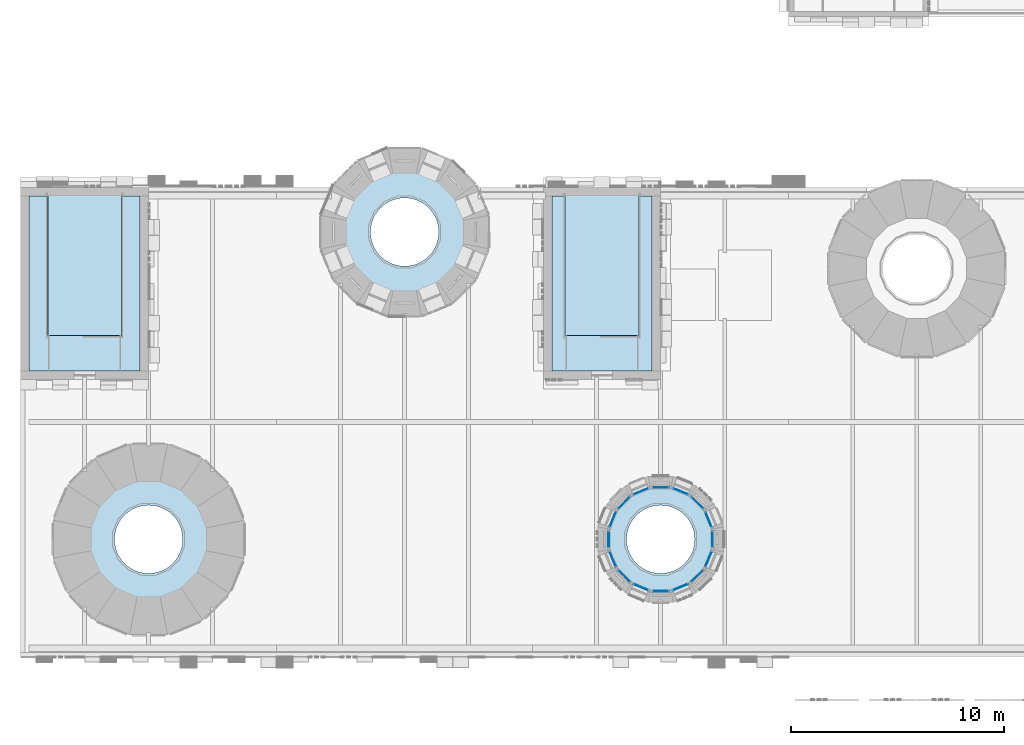
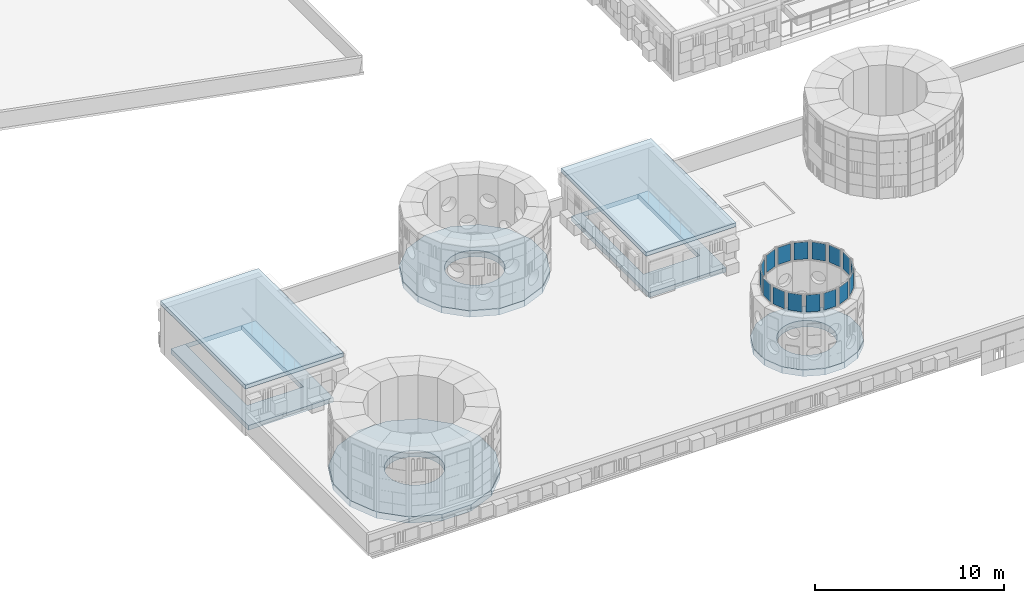
# One storey, part 43 of 98: 16 plates, 7 slabs, 16 elements without a shape of their own.
"""IFC4 building model written with IfcOpenShell, lengths in metres."""

from ifc_helpers import new_model, si_unit, direction, frame, origin, origin_2d, place, context, subcontext, project, spatial, polyline, rectangle, outline, extrude, material, layer, layer_set, type_object, element, aggregate, save


model = new_model("IFC4")

# Units and contexts
model_context = context("Model", 3, precision=1e-05, world=origin(), true_north=direction((0.0, 1.0)))
body_context = subcontext(model_context, "Body", "Model", "MODEL_VIEW")
ifc_project = project(units=[si_unit("LENGTHUNIT", "METRE"), si_unit("AREAUNIT", "SQUARE_METRE"), si_unit("VOLUMEUNIT", "CUBIC_METRE"), si_unit("PLANEANGLEUNIT", "RADIAN"), si_unit("MASSUNIT", "GRAM", prefix="KILO")], contexts=[model_context])

# Site, building, storey
site_placement = place(None, origin())
site = spatial("IfcSite", under=ifc_project, at=site_placement, CompositionType="ELEMENT")
building_placement = place(site_placement, origin())
building = spatial("IfcBuilding", under=site, at=building_placement, Name="Sun Court Science Centre", CompositionType="ELEMENT")
storey_placement = place(building_placement, frame((0.0, 0.0, 15.75)))
storey = spatial("IfcBuildingStorey", under=building, at=storey_placement, Name="L03", CompositionType="ELEMENT", Elevation=15.75)

# Curtain wall, plate
ifc_material_1 = material(Name="Aluminium EN AW-6063 T6", Category="aluminium")
curtain_wall_type = type_object("IfcCurtainWallType", Name="Lantern clerestory curtain wall 1500", PredefinedType="NOTDEFINED", material=ifc_material_1)
curtain_wall_1_placement = place(storey_placement, origin())
curtain_wall_1 = element("IfcCurtainWall", 1, at=curtain_wall_1_placement, inside=storey, type_object=curtain_wall_type, Name="Curtain wall V2 C3 clerestory L03 01", PredefinedType="NOTDEFINED")
ifc_material_2 = material(Name="Insulated glass", Category="glass")
ifc_layer_1 = layer(ifc_material_2, 0.031982421875)
ifc_layer_set_1 = layer_set([ifc_layer_1], Name="Insulated glass")
plate_type = type_object("IfcPlateType", Name="Foyer insulated glazing panel 8-16-8", PredefinedType="CURTAIN_PANEL", material=ifc_layer_set_1)
plate_1_placement = place(storey_placement, frame((32.24560546875, 12.43017578125, 3.5), z_axis=(0.0, 0.0, 1.0), x_axis=(0.382683432365, -0.923879532511, 0.0)))
plate_1 = element("IfcPlate", 2, at=plate_1_placement, type_object=plate_type, Name="Smoke vent opening light CW4-33 panel 1", PredefinedType="CURTAIN_PANEL", context=body_context, shape_type="SweptSolid", body=[
    extrude(rectangle(XDim=0.752685546875, YDim=0.031982421875, at=origin_2d()), origin(), (0.0, 0.0, 1.0), 1.10009765625),
])
aggregate(curtain_wall_1, [plate_1])

curtain_wall_2_placement = place(storey_placement, origin())
curtain_wall_2 = element("IfcCurtainWall", 3, at=curtain_wall_2_placement, inside=storey, type_object=curtain_wall_type, Name="Curtain wall V2 C3 clerestory L03 02", PredefinedType="NOTDEFINED")
plate_2_placement = place(storey_placement, frame((31.71875, 13.21875, 3.5), z_axis=(0.0, 0.0, 1.0), x_axis=(0.707106781187, -0.707106781187, 0.0)))
plate_2 = element("IfcPlate", 4, at=plate_2_placement, type_object=plate_type, Name="CW4-34 panel 1.1", PredefinedType="CURTAIN_PANEL", context=body_context, shape_type="SweptSolid", body=[
    extrude(rectangle(XDim=0.752685546875, YDim=0.031982421875, at=origin_2d()), origin(), (0.0, 0.0, 1.0), 1.10009765625),
])
aggregate(curtain_wall_2, [plate_2])

curtain_wall_3_placement = place(storey_placement, origin())
curtain_wall_3 = element("IfcCurtainWall", 5, at=curtain_wall_3_placement, inside=storey, type_object=curtain_wall_type, Name="Curtain wall V2 C3 clerestory L03 03", PredefinedType="NOTDEFINED")
plate_3_placement = place(storey_placement, frame((30.93017578125, 13.74560546875, 3.5), z_axis=(0.0, 0.0, 1.0), x_axis=(0.923879532511, -0.382683432365, 0.0)))
plate_3 = element("IfcPlate", 6, at=plate_3_placement, type_object=plate_type, Name="Smoke vent opening light CW4-35 panel 1", PredefinedType="CURTAIN_PANEL", context=body_context, shape_type="SweptSolid", body=[
    extrude(rectangle(XDim=0.752685546875, YDim=0.031982421875, at=origin_2d()), origin(), (0.0, 0.0, 1.0), 1.10009765625),
])
aggregate(curtain_wall_3, [plate_3])

curtain_wall_4_placement = place(storey_placement, origin())
curtain_wall_4 = element("IfcCurtainWall", 7, at=curtain_wall_4_placement, inside=storey, type_object=curtain_wall_type, Name="Curtain wall V2 C3 clerestory L03 04", PredefinedType="NOTDEFINED")
plate_4_placement = place(storey_placement, frame((30.0, 13.9306640625, 3.5), z_axis=(0.0, 0.0, 1.0), x_axis=(1.0, 0.0, 0.0)))
plate_4 = element("IfcPlate", 8, at=plate_4_placement, type_object=plate_type, Name="CW4-36 panel 1.1", PredefinedType="CURTAIN_PANEL", context=body_context, shape_type="SweptSolid", body=[
    extrude(rectangle(XDim=0.752685546875, YDim=0.031982421875, at=origin_2d()), origin(), (0.0, 0.0, 1.0), 1.10009765625),
])
aggregate(curtain_wall_4, [plate_4])

curtain_wall_5_placement = place(storey_placement, origin())
curtain_wall_5 = element("IfcCurtainWall", 9, at=curtain_wall_5_placement, inside=storey, type_object=curtain_wall_type, Name="Curtain wall V2 C3 clerestory L03 05", PredefinedType="NOTDEFINED")
plate_5_placement = place(storey_placement, frame((29.06982421875, 13.74560546875, 3.5), z_axis=(0.0, 0.0, 1.0), x_axis=(0.923879532511, 0.382683432365, 0.0)))
plate_5 = element("IfcPlate", 10, at=plate_5_placement, type_object=plate_type, Name="Smoke vent opening light CW4-37 panel 1", PredefinedType="CURTAIN_PANEL", context=body_context, shape_type="SweptSolid", body=[
    extrude(rectangle(XDim=0.752685546875, YDim=0.031982421875, at=origin_2d()), origin(), (0.0, 0.0, 1.0), 1.10009765625),
])
aggregate(curtain_wall_5, [plate_5])

curtain_wall_6_placement = place(storey_placement, origin())
curtain_wall_6 = element("IfcCurtainWall", 11, at=curtain_wall_6_placement, inside=storey, type_object=curtain_wall_type, Name="Curtain wall V2 C3 clerestory L03 06", PredefinedType="NOTDEFINED")
plate_6_placement = place(storey_placement, frame((28.28125, 13.21875, 3.5), z_axis=(0.0, 0.0, 1.0), x_axis=(0.707106781187, 0.707106781187, 0.0)))
plate_6 = element("IfcPlate", 12, at=plate_6_placement, type_object=plate_type, Name="CW4-38 panel 1.1", PredefinedType="CURTAIN_PANEL", context=body_context, shape_type="SweptSolid", body=[
    extrude(rectangle(XDim=0.752685546875, YDim=0.031982421875, at=origin_2d()), origin(), (0.0, 0.0, 1.0), 1.10009765625),
])
aggregate(curtain_wall_6, [plate_6])

curtain_wall_7_placement = place(storey_placement, origin())
curtain_wall_7 = element("IfcCurtainWall", 13, at=curtain_wall_7_placement, inside=storey, type_object=curtain_wall_type, Name="Curtain wall V2 C3 clerestory L03 07", PredefinedType="NOTDEFINED")
plate_7_placement = place(storey_placement, frame((27.75439453125, 12.43017578125, 3.5), z_axis=(0.0, 0.0, 1.0), x_axis=(0.382683432365, 0.923879532511, 0.0)))
plate_7 = element("IfcPlate", 14, at=plate_7_placement, type_object=plate_type, Name="Smoke vent opening light CW4-39 panel 1", PredefinedType="CURTAIN_PANEL", context=body_context, shape_type="SweptSolid", body=[
    extrude(rectangle(XDim=0.752685546875, YDim=0.031982421875, at=origin_2d()), origin(), (0.0, 0.0, 1.0), 1.10009765625),
])
aggregate(curtain_wall_7, [plate_7])

curtain_wall_8_placement = place(storey_placement, origin())
curtain_wall_8 = element("IfcCurtainWall", 15, at=curtain_wall_8_placement, inside=storey, type_object=curtain_wall_type, Name="Curtain wall V2 C3 clerestory L03 08", PredefinedType="NOTDEFINED")
plate_8_placement = place(storey_placement, frame((27.5693359375, 11.5, 3.5), z_axis=(0.0, 0.0, 1.0), x_axis=(0.0, 1.0, 0.0)))
plate_8 = element("IfcPlate", 16, at=plate_8_placement, type_object=plate_type, Name="CW4-40 panel 1.1", PredefinedType="CURTAIN_PANEL", context=body_context, shape_type="SweptSolid", body=[
    extrude(rectangle(XDim=0.752685546875, YDim=0.031982421875, at=origin_2d()), origin(), (0.0, 0.0, 1.0), 1.10009765625),
])
aggregate(curtain_wall_8, [plate_8])

curtain_wall_9_placement = place(storey_placement, origin())
curtain_wall_9 = element("IfcCurtainWall", 17, at=curtain_wall_9_placement, inside=storey, type_object=curtain_wall_type, Name="Curtain wall V2 C3 clerestory L03 09", PredefinedType="NOTDEFINED")
plate_9_placement = place(storey_placement, frame((27.75439453125, 10.56982421875, 3.5), z_axis=(0.0, 0.0, 1.0), x_axis=(-0.382683432365, 0.923879532511, 0.0)))
plate_9 = element("IfcPlate", 18, at=plate_9_placement, type_object=plate_type, Name="Smoke vent opening light CW4-41 panel 1", PredefinedType="CURTAIN_PANEL", context=body_context, shape_type="SweptSolid", body=[
    extrude(rectangle(XDim=0.752685546875, YDim=0.031982421875, at=origin_2d()), origin(), (0.0, 0.0, 1.0), 1.10009765625),
])
aggregate(curtain_wall_9, [plate_9])

curtain_wall_10_placement = place(storey_placement, origin())
curtain_wall_10 = element("IfcCurtainWall", 19, at=curtain_wall_10_placement, inside=storey, type_object=curtain_wall_type, Name="Curtain wall V2 C3 clerestory L03 10", PredefinedType="NOTDEFINED")
plate_10_placement = place(storey_placement, frame((28.28125, 9.78125, 3.5), z_axis=(0.0, 0.0, 1.0), x_axis=(-0.707106781187, 0.707106781187, 0.0)))
plate_10 = element("IfcPlate", 20, at=plate_10_placement, type_object=plate_type, Name="CW4-42 panel 1.1", PredefinedType="CURTAIN_PANEL", context=body_context, shape_type="SweptSolid", body=[
    extrude(rectangle(XDim=0.752685546875, YDim=0.031982421875, at=origin_2d()), origin(), (0.0, 0.0, 1.0), 1.10009765625),
])
aggregate(curtain_wall_10, [plate_10])

curtain_wall_11_placement = place(storey_placement, origin())
curtain_wall_11 = element("IfcCurtainWall", 21, at=curtain_wall_11_placement, inside=storey, type_object=curtain_wall_type, Name="Curtain wall V2 C3 clerestory L03 11", PredefinedType="NOTDEFINED")
plate_11_placement = place(storey_placement, frame((29.06982421875, 9.25439453125, 3.5), z_axis=(0.0, 0.0, 1.0), x_axis=(-0.923879532511, 0.382683432365, 0.0)))
plate_11 = element("IfcPlate", 22, at=plate_11_placement, type_object=plate_type, Name="Smoke vent opening light CW4-43 panel 1", PredefinedType="CURTAIN_PANEL", context=body_context, shape_type="SweptSolid", body=[
    extrude(rectangle(XDim=0.752685546875, YDim=0.031982421875, at=origin_2d()), origin(), (0.0, 0.0, 1.0), 1.10009765625),
])
aggregate(curtain_wall_11, [plate_11])

curtain_wall_12_placement = place(storey_placement, origin())
curtain_wall_12 = element("IfcCurtainWall", 23, at=curtain_wall_12_placement, inside=storey, type_object=curtain_wall_type, Name="Curtain wall V2 C3 clerestory L03 12", PredefinedType="NOTDEFINED")
plate_12_placement = place(storey_placement, frame((30.0, 9.0693359375, 3.5), z_axis=(0.0, 0.0, 1.0), x_axis=(-1.0, 0.0, 0.0)))
plate_12 = element("IfcPlate", 24, at=plate_12_placement, type_object=plate_type, Name="CW4-44 panel 1.1", PredefinedType="CURTAIN_PANEL", context=body_context, shape_type="SweptSolid", body=[
    extrude(rectangle(XDim=0.752685546875, YDim=0.031982421875, at=origin_2d()), origin(), (0.0, 0.0, 1.0), 1.10009765625),
])
aggregate(curtain_wall_12, [plate_12])

curtain_wall_13_placement = place(storey_placement, origin())
curtain_wall_13 = element("IfcCurtainWall", 25, at=curtain_wall_13_placement, inside=storey, type_object=curtain_wall_type, Name="Curtain wall V2 C3 clerestory L03 13", PredefinedType="NOTDEFINED")
plate_13_placement = place(storey_placement, frame((30.93017578125, 9.25439453125, 3.5), z_axis=(0.0, 0.0, 1.0), x_axis=(-0.923879532511, -0.382683432365, 0.0)))
plate_13 = element("IfcPlate", 26, at=plate_13_placement, type_object=plate_type, Name="Smoke vent opening light CW4-45 panel 1", PredefinedType="CURTAIN_PANEL", context=body_context, shape_type="SweptSolid", body=[
    extrude(rectangle(XDim=0.752685546875, YDim=0.031982421875, at=origin_2d()), origin(), (0.0, 0.0, 1.0), 1.10009765625),
])
aggregate(curtain_wall_13, [plate_13])

curtain_wall_14_placement = place(storey_placement, origin())
curtain_wall_14 = element("IfcCurtainWall", 27, at=curtain_wall_14_placement, inside=storey, type_object=curtain_wall_type, Name="Curtain wall V2 C3 clerestory L03 14", PredefinedType="NOTDEFINED")
plate_14_placement = place(storey_placement, frame((31.71875, 9.78125, 3.5), z_axis=(0.0, 0.0, 1.0), x_axis=(-0.707106781187, -0.707106781187, 0.0)))
plate_14 = element("IfcPlate", 28, at=plate_14_placement, type_object=plate_type, Name="CW4-46 panel 1.1", PredefinedType="CURTAIN_PANEL", context=body_context, shape_type="SweptSolid", body=[
    extrude(rectangle(XDim=0.752685546875, YDim=0.031982421875, at=origin_2d()), origin(), (0.0, 0.0, 1.0), 1.10009765625),
])
aggregate(curtain_wall_14, [plate_14])

curtain_wall_15_placement = place(storey_placement, origin())
curtain_wall_15 = element("IfcCurtainWall", 29, at=curtain_wall_15_placement, inside=storey, type_object=curtain_wall_type, Name="Curtain wall V2 C3 clerestory L03 15", PredefinedType="NOTDEFINED")
plate_15_placement = place(storey_placement, frame((32.24560546875, 10.56982421875, 3.5), z_axis=(0.0, 0.0, 1.0), x_axis=(-0.382683432365, -0.923879532511, 0.0)))
plate_15 = element("IfcPlate", 30, at=plate_15_placement, type_object=plate_type, Name="Smoke vent opening light CW4-47 panel 1", PredefinedType="CURTAIN_PANEL", context=body_context, shape_type="SweptSolid", body=[
    extrude(rectangle(XDim=0.752685546875, YDim=0.031982421875, at=origin_2d()), origin(), (0.0, 0.0, 1.0), 1.10009765625),
])
aggregate(curtain_wall_15, [plate_15])

curtain_wall_16_placement = place(storey_placement, origin())
curtain_wall_16 = element("IfcCurtainWall", 31, at=curtain_wall_16_placement, inside=storey, type_object=curtain_wall_type, Name="Curtain wall V2 C3 clerestory L03 16", PredefinedType="NOTDEFINED")
plate_16_placement = place(storey_placement, frame((32.4306640625, 11.5, 3.5), z_axis=(0.0, 0.0, 1.0), x_axis=(0.0, -1.0, 0.0)))
plate_16 = element("IfcPlate", 32, at=plate_16_placement, type_object=plate_type, Name="CW4-48 panel 1.1", PredefinedType="CURTAIN_PANEL", context=body_context, shape_type="SweptSolid", body=[
    extrude(rectangle(XDim=0.752685546875, YDim=0.031982421875, at=origin_2d()), origin(), (0.0, 0.0, 1.0), 1.10009765625),
])
aggregate(curtain_wall_16, [plate_16])

# Slabs
ifc_material_3 = material(Name="Concrete C25/30", Category="concrete")
ifc_layer_2 = layer(ifc_material_3, 0.300048828125)
ifc_layer_set_2 = layer_set([ifc_layer_2], Name="Concrete C25/30")
slab_type_1 = type_object("IfcSlabType", Name="RC floor slab 300", PredefinedType="FLOOR", material=ifc_layer_set_2)
slab_1_placement = place(storey_placement, frame((0.0, 0.0, -0.300048828125)))
element("IfcSlab", 33, at=slab_1_placement, inside=storey, type_object=slab_type_1, Name="Stair SB1 head-house floor", PredefinedType="FLOOR", context=body_context, shape_type="SweptSolid", body=[
    extrude(outline(polyline([(0.39990234375, 27.60009765625), (0.39990234375, 19.39990234375), (5.60009765625, 19.39990234375), (5.60009765625, 27.60009765625), (0.39990234375, 27.60009765625)]), holes=[polyline([(4.722900390625, 27.594970703125), (4.722900390625, 21.052978515625), (1.277099609375, 21.052978515625), (1.277099609375, 27.594970703125), (4.722900390625, 27.594970703125)])]), origin(), (0.0, 0.0, 1.0), 0.300048828125),
])
slab_2_placement = place(storey_placement, frame((0.0, 0.0, -0.300048828125)))
element("IfcSlab", 34, at=slab_2_placement, inside=storey, type_object=slab_type_1, Name="Stair SB2 head-house floor", PredefinedType="FLOOR", context=body_context, shape_type="SweptSolid", body=[
    extrude(outline(polyline([(24.89990234375, 27.60009765625), (24.89990234375, 19.39990234375), (29.60009765625, 19.39990234375), (29.60009765625, 27.60009765625), (24.89990234375, 27.60009765625)]), holes=[polyline([(28.972900390625, 27.594970703125), (28.972900390625, 21.052978515625), (25.527099609375, 21.052978515625), (25.527099609375, 27.594970703125), (28.972900390625, 27.594970703125)])]), origin(), (0.0, 0.0, 1.0), 0.300048828125),
])
ifc_material_4 = material(Name="Concrete C25/30", Category="concrete")
ifc_layer_3 = layer(ifc_material_4, 0.409912109375)
ifc_layer_set_3 = layer_set([ifc_layer_3], Name="Concrete C25/30")
slab_type_2 = type_object("IfcSlabType", Name="RC gallery ledge slab 410", PredefinedType="FLOOR", material=ifc_layer_set_3)
slab_3_placement = place(storey_placement, frame((0.0, 0.0, -0.300048828125)))
element("IfcSlab", 35, at=slab_3_placement, inside=storey, type_object=slab_type_2, Name="Cone 1 gallery ledge", PredefinedType="FLOOR", context=body_context, shape_type="SweptSolid", body=[
    extrude(outline(polyline([(10.462646484375, 10.6123046875), (10.462646484375, 12.3876953125), (9.783203125, 14.02783203125), (8.52783203125, 15.283203125), (6.8876953125, 15.962646484375), (5.1123046875, 15.962646484375), (3.47216796875, 15.283203125), (2.216796875, 14.02783203125), (1.537353515625, 12.3876953125), (1.537353515625, 10.6123046875), (2.216796875, 8.97216796875), (3.47216796875, 7.716796875), (5.1123046875, 7.037353515625), (6.8876953125, 7.037353515625), (8.52783203125, 7.716796875), (9.783203125, 8.97216796875), (10.462646484375, 10.6123046875)]), holes=[polyline([(7.58642578125, 11.708740234375), (7.60009765625, 11.5), (7.58642578125, 11.291259765625), (7.54541015625, 11.0859375), (7.478271484375, 10.8876953125), (7.3857421875, 10.699951171875), (7.269287109375, 10.52587890625), (7.13134765625, 10.36865234375), (6.97412109375, 10.230712890625), (6.800048828125, 10.1142578125), (6.6123046875, 10.021728515625), (6.4140625, 9.95458984375), (6.208740234375, 9.91357421875), (6.0, 9.89990234375), (5.791259765625, 9.91357421875), (5.5859375, 9.95458984375), (5.3876953125, 10.021728515625), (5.199951171875, 10.1142578125), (5.02587890625, 10.230712890625), (4.86865234375, 10.36865234375), (4.730712890625, 10.52587890625), (4.6142578125, 10.699951171875), (4.521728515625, 10.8876953125), (4.45458984375, 11.0859375), (4.41357421875, 11.291259765625), (4.39990234375, 11.5), (4.41357421875, 11.708740234375), (4.45458984375, 11.9140625), (4.521728515625, 12.1123046875), (4.6142578125, 12.300048828125), (4.730712890625, 12.47412109375), (4.86865234375, 12.63134765625), (5.02587890625, 12.769287109375), (5.199951171875, 12.8857421875), (5.3876953125, 12.978271484375), (5.5859375, 13.04541015625), (5.791259765625, 13.08642578125), (6.0, 13.10009765625), (6.208740234375, 13.08642578125), (6.4140625, 13.04541015625), (6.6123046875, 12.978271484375), (6.800048828125, 12.8857421875), (6.97412109375, 12.769287109375), (7.13134765625, 12.63134765625), (7.269287109375, 12.47412109375), (7.3857421875, 12.300048828125), (7.478271484375, 12.1123046875), (7.54541015625, 11.9140625), (7.58642578125, 11.708740234375)])]), origin(), (0.0, 0.0, 1.0), 0.41015625),
])
slab_4_placement = place(storey_placement, frame((0.0, 0.0, -0.300048828125)))
element("IfcSlab", 36, at=slab_4_placement, inside=storey, type_object=slab_type_2, Name="Cone 2 gallery ledge", PredefinedType="FLOOR", context=body_context, shape_type="SweptSolid", body=[
    extrude(outline(polyline([(21.923095703125, 25.11962890625), (21.923095703125, 26.680419921875), (21.325927734375, 28.122314453125), (20.22216796875, 29.225830078125), (18.7802734375, 29.8232421875), (17.2197265625, 29.8232421875), (15.77783203125, 29.225830078125), (14.674072265625, 28.122314453125), (14.076904296875, 26.680419921875), (14.076904296875, 25.11962890625), (14.674072265625, 23.677734375), (15.77783203125, 22.57421875), (17.2197265625, 21.976806640625), (18.7802734375, 21.976806640625), (20.22216796875, 22.57421875), (21.325927734375, 23.677734375), (21.923095703125, 25.11962890625)]), holes=[polyline([(19.58642578125, 26.10888671875), (19.60009765625, 25.89990234375), (19.58642578125, 25.691162109375), (19.54541015625, 25.48583984375), (19.478271484375, 25.28759765625), (19.3857421875, 25.10009765625), (19.269287109375, 24.926025390625), (19.13134765625, 24.7685546875), (18.97412109375, 24.630615234375), (18.800048828125, 24.514404296875), (18.6123046875, 24.421875), (18.4140625, 24.3544921875), (18.208740234375, 24.313720703125), (18.0, 24.300048828125), (17.791259765625, 24.313720703125), (17.5859375, 24.3544921875), (17.3876953125, 24.421875), (17.199951171875, 24.514404296875), (17.02587890625, 24.630615234375), (16.86865234375, 24.7685546875), (16.730712890625, 24.926025390625), (16.6142578125, 25.10009765625), (16.521728515625, 25.28759765625), (16.45458984375, 25.48583984375), (16.41357421875, 25.691162109375), (16.39990234375, 25.89990234375), (16.41357421875, 26.10888671875), (16.45458984375, 26.314208984375), (16.521728515625, 26.51220703125), (16.6142578125, 26.699951171875), (16.730712890625, 26.8740234375), (16.86865234375, 27.03125), (17.02587890625, 27.16943359375), (17.199951171875, 27.28564453125), (17.3876953125, 27.378173828125), (17.5859375, 27.445556640625), (17.791259765625, 27.486328125), (18.0, 27.5), (18.208740234375, 27.486328125), (18.4140625, 27.445556640625), (18.6123046875, 27.378173828125), (18.800048828125, 27.28564453125), (18.97412109375, 27.16943359375), (19.13134765625, 27.03125), (19.269287109375, 26.8740234375), (19.3857421875, 26.699951171875), (19.478271484375, 26.51220703125), (19.54541015625, 26.314208984375), (19.58642578125, 26.10888671875)])]), origin(), (0.0, 0.0, 1.0), 0.41015625),
])
slab_5_placement = place(storey_placement, frame((0.0, 0.0, -0.300048828125)))
element("IfcSlab", 37, at=slab_5_placement, inside=storey, type_object=slab_type_2, Name="Cone 3 gallery ledge", PredefinedType="FLOOR", context=body_context, shape_type="SweptSolid", body=[
    extrude(outline(polyline([(32.9423828125, 10.914794921875), (32.9423828125, 12.085205078125), (32.494384765625, 13.166748046875), (31.666748046875, 13.994384765625), (30.585205078125, 14.4423828125), (29.414794921875, 14.4423828125), (28.333251953125, 13.994384765625), (27.505615234375, 13.166748046875), (27.0576171875, 12.085205078125), (27.0576171875, 10.914794921875), (27.505615234375, 9.833251953125), (28.333251953125, 9.005615234375), (29.414794921875, 8.5576171875), (30.585205078125, 8.5576171875), (31.666748046875, 9.005615234375), (32.494384765625, 9.833251953125), (32.9423828125, 10.914794921875)]), holes=[polyline([(31.58642578125, 11.708740234375), (31.60009765625, 11.5), (31.58642578125, 11.291259765625), (31.54541015625, 11.0859375), (31.478271484375, 10.8876953125), (31.3857421875, 10.699951171875), (31.269287109375, 10.52587890625), (31.13134765625, 10.36865234375), (30.97412109375, 10.230712890625), (30.800048828125, 10.1142578125), (30.6123046875, 10.021728515625), (30.4140625, 9.95458984375), (30.208740234375, 9.91357421875), (30.0, 9.89990234375), (29.791259765625, 9.91357421875), (29.5859375, 9.95458984375), (29.3876953125, 10.021728515625), (29.199951171875, 10.1142578125), (29.02587890625, 10.230712890625), (28.86865234375, 10.36865234375), (28.730712890625, 10.52587890625), (28.6142578125, 10.699951171875), (28.521728515625, 10.8876953125), (28.45458984375, 11.0859375), (28.41357421875, 11.291259765625), (28.39990234375, 11.5), (28.41357421875, 11.708740234375), (28.45458984375, 11.9140625), (28.521728515625, 12.1123046875), (28.6142578125, 12.300048828125), (28.730712890625, 12.47412109375), (28.86865234375, 12.63134765625), (29.02587890625, 12.769287109375), (29.199951171875, 12.8857421875), (29.3876953125, 12.978271484375), (29.5859375, 13.04541015625), (29.791259765625, 13.08642578125), (30.0, 13.10009765625), (30.208740234375, 13.08642578125), (30.4140625, 13.04541015625), (30.6123046875, 12.978271484375), (30.800048828125, 12.8857421875), (30.97412109375, 12.769287109375), (31.13134765625, 12.63134765625), (31.269287109375, 12.47412109375), (31.3857421875, 12.300048828125), (31.478271484375, 12.1123046875), (31.54541015625, 11.9140625), (31.58642578125, 11.708740234375)])]), origin(), (0.0, 0.0, 1.0), 0.41015625),
])
ifc_material_5 = material(Name="Concrete C25/30", Category="concrete")
ifc_layer_4 = layer(ifc_material_5, 0.25)
ifc_layer_set_4 = layer_set([ifc_layer_4], Name="Concrete C25/30")
slab_type_3 = type_object("IfcSlabType", Name="RC head-house roof 250", PredefinedType="ROOF", material=ifc_layer_set_4)
slab_6_placement = place(storey_placement, frame((0.0, 0.0, 2.75)))
element("IfcSlab", 38, at=slab_6_placement, inside=storey, type_object=slab_type_3, Name="Roof of core SB1", PredefinedType="ROOF", context=body_context, shape_type="SweptSolid", body=[
    extrude(outline(polyline([(0.0, 19.0), (6.0, 19.0), (6.0, 28.0), (0.0, 28.0), (0.0, 19.0)])), origin(), (0.0, 0.0, 1.0), 0.25),
])
slab_7_placement = place(storey_placement, frame((0.0, 0.0, 2.75)))
element("IfcSlab", 39, at=slab_7_placement, inside=storey, type_object=slab_type_3, Name="Roof of core SB2", PredefinedType="ROOF", context=body_context, shape_type="SweptSolid", body=[
    extrude(outline(polyline([(24.5, 19.0), (30.0, 19.0), (30.0, 28.0), (24.5, 28.0), (24.5, 19.0)])), origin(), (0.0, 0.0, 1.0), 0.25),
])

save(model, "model.ifc")
